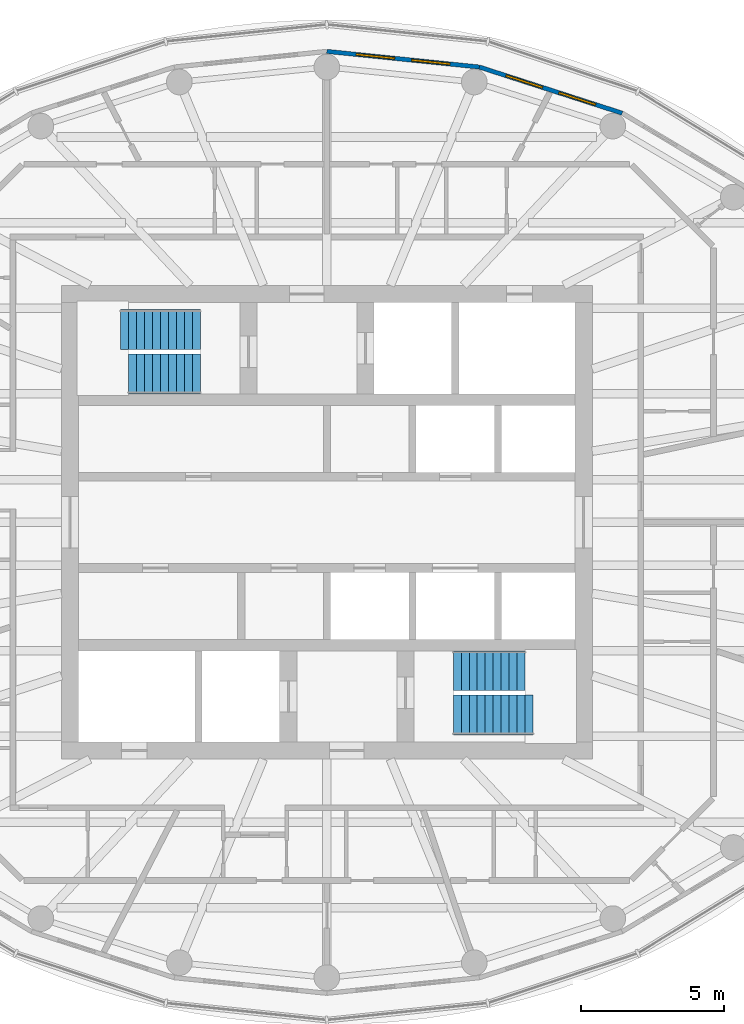
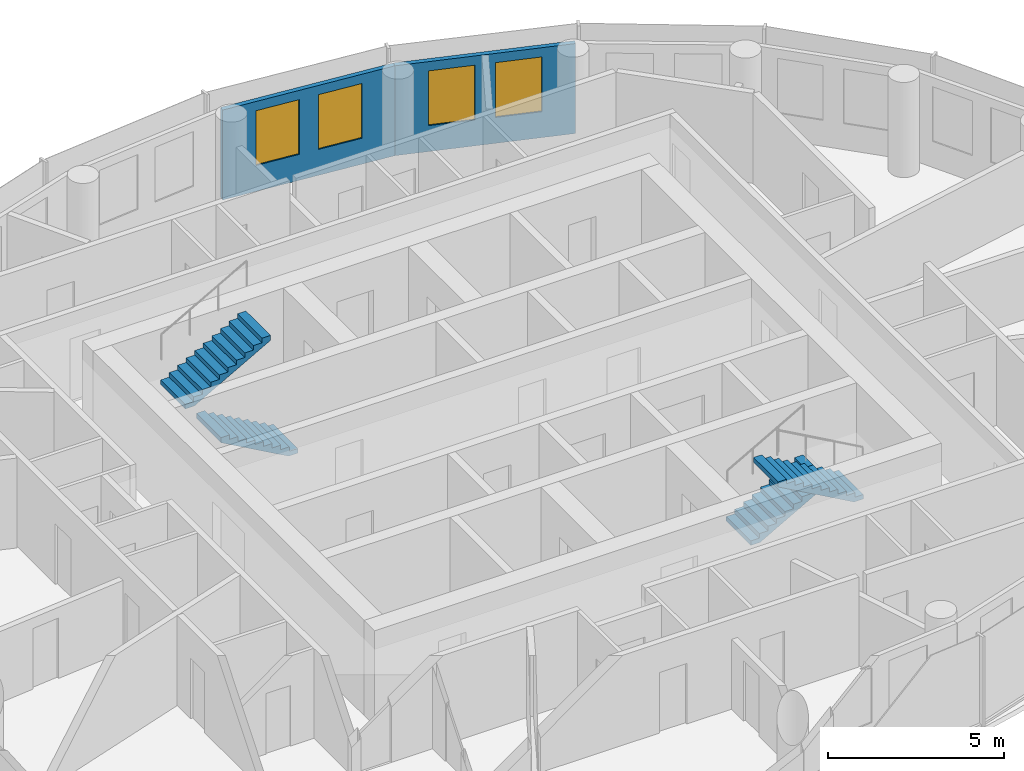
# One storey, part 10 of 11: 4 stair flights, 4 windows, 2 walls, 4 openings, 2 elements without a shape of their own.
"""IFC4 building model written with IfcOpenShell, lengths in metres."""

import ifcopenshell
import ifcopenshell.guid

model = None  # the IFC model being written
_history = None  # IfcOwnerHistory: only IFC2X3 demands one
_inside = {}  # id of a spatial element -> (the spatial element, [elements in it])
_under = {}  # id of a project, library or spatial element -> (it, [spatial elements below it])
_declared = {}  # id of a project -> (the project, [libraries it declares])
_typed = {}  # id of a type object -> (the type object, [elements of that type])
_made_of = {}  # id of a material, layer set ... -> (it, [elements and type objects made of it])


def new_model(schema):
    """Start an empty IFC model of exactly this schema.

    Asked for "IFC4X3", IfcOpenShell would pick the latest addendum, in which some entities
    have other attributes; the version numbers below select the first issue.
    IFC2X3 requires an IfcOwnerHistory on every rooted entity: one is made here for all.
    """
    global model, _history
    if schema == "IFC4X3":
        model = ifcopenshell.file(schema_version=(4, 3, 0, 0))
    else:
        model = ifcopenshell.file(schema=schema)
    _inside.clear()
    _under.clear()
    _declared.clear()
    _typed.clear()
    _made_of.clear()
    _history = None
    if model.schema == "IFC2X3":
        org = make("IfcOrganization", Name="unknown")
        user = make(
            "IfcPersonAndOrganization",
            ThePerson=make("IfcPerson", FamilyName="unknown"),
            TheOrganization=org,
        )
        app = make(
            "IfcApplication",
            ApplicationDeveloper=org,
            Version="unknown",
            ApplicationFullName="unknown",
            ApplicationIdentifier="unknown",
        )
        _history = make(
            "IfcOwnerHistory",
            OwningUser=user,
            OwningApplication=app,
            ChangeAction="ADDED",
            CreationDate=0,
        )
    return model


def make(cls, **values):
    """One entity of the class cls with the attributes given. An attribute that is None is left unset."""
    return model.create_entity(
        cls, **{name: value for name, value in values.items() if value is not None}
    )


def rooted(cls, **values):
    """An entity with a GlobalId (a new one), such as an element, a storey or a relation."""
    return make(cls, GlobalId=ifcopenshell.guid.new(), OwnerHistory=_history, **values)


def si_unit(unit_type, name, prefix=None):
    """IfcSIUnit, for example si_unit("LENGTHUNIT", "METRE", prefix="MILLI")."""
    return make("IfcSIUnit", UnitType=unit_type, Prefix=prefix, Name=name)


def assignment(units):
    """IfcUnitAssignment: the units of a project."""
    return None if units is None else make("IfcUnitAssignment", Units=units)


def point(xyz):
    """IfcCartesianPoint."""
    return None if xyz is None else make("IfcCartesianPoint", Coordinates=xyz)


def direction(xyz):
    """IfcDirection."""
    return None if xyz is None else make("IfcDirection", DirectionRatios=xyz)


def frame(location, z_axis=None, x_axis=None):
    """IfcAxis2Placement3D, a coordinate frame: its origin and axes. An axis left out is left unset."""
    return make(
        "IfcAxis2Placement3D",
        Location=point(location),
        Axis=direction(z_axis),
        RefDirection=direction(x_axis),
    )


def frame_2d(location, x_axis=None):
    """IfcAxis2Placement2D, a coordinate frame in the plane: its origin and x axis."""
    return make(
        "IfcAxis2Placement2D", Location=point(location), RefDirection=direction(x_axis)
    )


def origin():
    """The frame at (0, 0, 0) with its axes left unset."""
    return frame((0.0, 0.0, 0.0))


def place(relative_to, where):
    """IfcLocalPlacement: puts the frame where relative to a parent placement (None: the world)."""
    return make(
        "IfcLocalPlacement", PlacementRelTo=relative_to, RelativePlacement=where
    )


def context(
    kind, dimensions, precision=None, world=None, true_north=None, identifier=None
):
    """IfcGeometricRepresentationContext, for example the 3D "Model" context."""
    return make(
        "IfcGeometricRepresentationContext",
        ContextIdentifier=identifier,
        ContextType=kind,
        CoordinateSpaceDimension=dimensions,
        Precision=precision,
        WorldCoordinateSystem=world,
        TrueNorth=true_north,
    )


def subcontext(parent, identifier, kind, view, scale=None):
    """IfcGeometricRepresentationSubContext, for example "Body" below "Model"."""
    return make(
        "IfcGeometricRepresentationSubContext",
        ContextIdentifier=identifier,
        ContextType=kind,
        ParentContext=parent,
        TargetScale=scale,
        TargetView=view,
    )


def project(units=None, contexts=None):
    """IfcProject with its units and contexts."""
    return rooted(
        "IfcProject",
        Name="project",
        RepresentationContexts=contexts,
        UnitsInContext=assignment(units),
    )


def spatial(cls, under=None, at=None, **own):
    """A site, building, storey or space (cls), placed at a placement, below another one or the project."""
    s = rooted(cls, ObjectPlacement=at, **own)
    if under is not None:
        _under.setdefault(under.id(), (under, []))[1].append(s)
    return s


def polyline(points):
    """IfcPolyline through the points."""
    return make("IfcPolyline", Points=[point(p) for p in points])


def profile(cls, at=None, kind="AREA", **sizes):
    """A parametric profile (cls). Its sizes go by their IFC names, for example OverallWidth=200.0."""
    return make(cls, ProfileType=kind, Position=at, **sizes)


def rectangle(**sizes):
    """IfcRectangleProfileDef."""
    return profile("IfcRectangleProfileDef", **sizes)


def outline(outer, holes=None, kind="AREA"):
    """IfcArbitraryClosedProfileDef: a profile drawn as a closed curve; with holes, ...WithVoids."""
    if holes is None:
        return make("IfcArbitraryClosedProfileDef", ProfileType=kind, OuterCurve=outer)
    return make(
        "IfcArbitraryProfileDefWithVoids",
        ProfileType=kind,
        OuterCurve=outer,
        InnerCurves=holes,
    )


def extrude(swept, where, along, depth):
    """IfcExtrudedAreaSolid: the profile swept, set in the frame where, extruded along a direction by depth."""
    return make(
        "IfcExtrudedAreaSolid",
        SweptArea=swept,
        Position=where,
        ExtrudedDirection=direction(along),
        Depth=depth,
    )


def shape(context_of_items, identifier, shape_type, items):
    """IfcShapeRepresentation: the items that make up one representation, for example the "Body"."""
    return make(
        "IfcShapeRepresentation",
        ContextOfItems=context_of_items,
        RepresentationIdentifier=identifier,
        RepresentationType=shape_type,
        Items=items,
    )


def material(Name=None, Category=None):
    """IfcMaterial."""
    return make("IfcMaterial", Name=Name, Category=Category)


def layer(
    of_material, thickness, ventilated=None, Name=None, Category=None, Priority=None
):
    """IfcMaterialLayer: one layer of a wall or slab, of a material (None: an air gap)."""
    return make(
        "IfcMaterialLayer",
        Material=of_material,
        LayerThickness=thickness,
        IsVentilated=ventilated,
        Name=Name,
        Category=Category,
        Priority=Priority,
    )


def layer_set(layers, Name=None):
    """IfcMaterialLayerSet."""
    return make("IfcMaterialLayerSet", MaterialLayers=layers, LayerSetName=Name)


def made_of(thing, what):
    """Note that an element or type object is made of a material, layer set ...; save() writes the relation."""
    if what is not None:
        _made_of.setdefault(what.id(), (what, []))[1].append(thing)
    return thing


def type_object(cls, material=None, **own):
    """A type object (cls), such as IfcWallType, which elements share."""
    return made_of(rooted(cls, **own), material)


def element(
    cls,
    number,
    at=None,
    inside=None,
    cuts=None,
    type_object=None,
    material=None,
    context=None,
    identifier="Body",
    shape_type=None,
    held_by="IfcProductDefinitionShape",
    body=None,
    shapes=None,
    **own,
):
    """One element of the class cls, such as IfcWall. Its Tag is "e" and its number.

    at: its placement. inside: the storey or other place that contains it. cuts: it is an
    opening in that element (IfcRelVoidsElement). A single representation is given by context,
    identifier, shape_type and body (its items); several are given by shapes. held_by: the class
    of the entity that holds the representations. save() writes the other relations.
    """
    e = rooted(cls, Tag="e%d" % number, ObjectPlacement=at, **own)
    if body is not None:
        shapes = [shape(context, identifier, shape_type, body)]
    if shapes is not None:
        e.Representation = make(held_by, Representations=shapes)
    if inside is not None:
        _inside.setdefault(inside.id(), (inside, []))[1].append(e)
    if cuts is not None:
        rooted(
            "IfcRelVoidsElement", RelatingBuildingElement=cuts, RelatedOpeningElement=e
        )
    if type_object is not None:
        _typed.setdefault(type_object.id(), (type_object, []))[1].append(e)
    return made_of(e, material)


def fill(opening, filler):
    """IfcRelFillsElement: the door or window that sits in an opening."""
    return rooted(
        "IfcRelFillsElement",
        RelatingOpeningElement=opening,
        RelatedBuildingElement=filler,
    )


def aggregate(whole, parts):
    """IfcRelAggregates: a whole, such as a stair, and the parts it consists of."""
    return rooted("IfcRelAggregates", RelatingObject=whole, RelatedObjects=parts)


def save(model, path):
    """Write the relations noted so far, then the file.

    IfcRelAggregates (storeys below a building ...), IfcRelContainedInSpatialStructure (elements
    in a storey), IfcRelDefinesByType, IfcRelAssociatesMaterial and IfcRelDeclares: one each for
    every whole, place, type object, material and project.
    """
    for whole, parts in _under.values():
        aggregate(whole, parts)
    for where, things in _inside.values():
        rooted(
            "IfcRelContainedInSpatialStructure",
            RelatedElements=things,
            RelatingStructure=where,
        )
    for kind, things in _typed.values():
        rooted("IfcRelDefinesByType", RelatedObjects=things, RelatingType=kind)
    for what, things in _made_of.values():
        rooted("IfcRelAssociatesMaterial", RelatedObjects=things, RelatingMaterial=what)
    for by, libraries in _declared.values():
        rooted("IfcRelDeclares", RelatingContext=by, RelatedDefinitions=libraries)
    model.write(path)


model = new_model("IFC4")

# Units and contexts
model_context = context("Model", 3, precision=1e-05, world=origin(), true_north=direction((0.0, 1.0)))
body_context = subcontext(model_context, "Body", "Model", "MODEL_VIEW")
ifc_project = project(units=[si_unit("LENGTHUNIT", "METRE"), si_unit("AREAUNIT", "SQUARE_METRE"), si_unit("VOLUMEUNIT", "CUBIC_METRE"), si_unit("PLANEANGLEUNIT", "RADIAN"), si_unit("MASSUNIT", "GRAM", prefix="KILO")], contexts=[model_context])

# Site, building, storey
site_placement = place(None, origin())
site = spatial("IfcSite", under=ifc_project, at=site_placement, CompositionType="ELEMENT")
building_placement = place(site_placement, origin())
building = spatial("IfcBuilding", under=site, at=building_placement, Name="Hankou Lantern Tower", CompositionType="ELEMENT")
storey_placement = place(building_placement, frame((0.0, 0.0, 196.199951171875)))
storey = spatial("IfcBuildingStorey", under=building, at=storey_placement, Name="L52", CompositionType="ELEMENT", Elevation=196.199951171875)

# Wall, openings, windows
ifc_material_1 = material(Name="Aluminium spandrel panel on steel studs", Category="steel")
ifc_layer = layer(ifc_material_1, 0.14990234375)
ifc_layer_set = layer_set([ifc_layer], Name="Aluminium spandrel panel on steel studs")
wall_type = type_object("IfcWallType", Name="EW1 INNER SKIN WALL 150", PredefinedType="ELEMENTEDWALL", material=ifc_layer_set)
wall_1_placement = place(storey_placement, frame((10.346435546875, 14.33642578125, 0.0), z_axis=(0.0, 0.0, 1.0), x_axis=(-0.951644702515, 0.307200846638, 0.0)))
wall_1 = element("IfcWall", 1, at=wall_1_placement, inside=storey, type_object=wall_type, Name="Inner skin R05-R06 L52", PredefinedType="ELEMENTEDWALL", context=body_context, shape_type="SweptSolid", body=[
    extrude(rectangle(XDim=5.2578125, YDim=0.14990234375, at=frame_2d((2.62890625, 0.0))), origin(), (0.0, 0.0, 1.0), 3.1201171875),
])
opening_1_placement = place(wall_1_placement, frame((0.97900390625, 0.0, 0.89990234375)))
opening_1 = element("IfcOpeningElement", 2, at=opening_1_placement, cuts=wall_1, Name="Opening W4", PredefinedType="OPENING", context=body_context, shape_type="SweptSolid", body=[
    extrude(rectangle(XDim=1.35009765625, YDim=1.89990234375, at=frame_2d((0.675048828125, 0.949951171875))), frame((0.0, 0.0849609375, 0.0), z_axis=(0.0, -1.0, 0.0), x_axis=(1.0, 0.0, 0.0)), (0.0, 0.0, 1.0), 0.169921875),
])
opening_2_placement = place(wall_1_placement, frame((2.928955078125, 0.0, 0.89990234375)))
opening_2 = element("IfcOpeningElement", 3, at=opening_2_placement, cuts=wall_1, Name="Opening W4", PredefinedType="OPENING", context=body_context, shape_type="SweptSolid", body=[
    extrude(rectangle(XDim=1.35009765625, YDim=1.89990234375, at=frame_2d((0.675048828125, 0.949951171875))), frame((0.0, 0.0849609375, 0.0), z_axis=(0.0, -1.0, 0.0), x_axis=(1.0, 0.0, 0.0)), (0.0, 0.0, 1.0), 0.169921875),
])
ifc_material_2 = material(Name="Aluminium framed double glazed window", Category="aluminium")
window_type = type_object("IfcWindowType", Name="W4 SUITE WINDOW 1350X1900", PartitioningType="DOUBLE_PANEL_VERTICAL", PredefinedType="WINDOW", material=ifc_material_2)
window_1_placement = place(opening_1_placement, origin())
window_1 = element("IfcWindow", 4, at=window_1_placement, inside=storey, type_object=window_type, Name="Window R05.1 L52", OverallHeight=1.89990234375, OverallWidth=1.35009765625, PartitioningType="SINGLE_PANEL", PredefinedType="WINDOW", context=body_context, shape_type="SweptSolid", body=[
    extrude(rectangle(XDim=1.35009765625, YDim=1.89990234375, at=frame_2d((0.675048828125, 0.949951171875))), frame((0.0, 0.030029296875, 0.0), z_axis=(0.0, -1.0, 0.0), x_axis=(1.0, 0.0, 0.0)), (0.0, 0.0, 1.0), 0.06005859375),
])
fill(opening_1, window_1)
window_2_placement = place(opening_2_placement, origin())
window_2 = element("IfcWindow", 5, at=window_2_placement, inside=storey, type_object=window_type, Name="Window R05.2 L52", OverallHeight=1.89990234375, OverallWidth=1.35009765625, PartitioningType="SINGLE_PANEL", PredefinedType="WINDOW", context=body_context, shape_type="SweptSolid", body=[
    extrude(rectangle(XDim=1.35009765625, YDim=1.89990234375, at=frame_2d((0.675048828125, 0.949951171875))), frame((0.0, 0.030029296875, 0.0), z_axis=(0.0, -1.0, 0.0), x_axis=(1.0, 0.0, 0.0)), (0.0, 0.0, 1.0), 0.06005859375),
])
fill(opening_2, window_2)

wall_2_placement = place(storey_placement, frame((5.3427734375, 15.95166015625, 0.0), z_axis=(0.0, 0.0, 1.0), x_axis=(-0.994774574972, 0.102095763818, 0.0)))
wall_2 = element("IfcWall", 6, at=wall_2_placement, inside=storey, type_object=wall_type, Name="Inner skin R06-R07 L52", PredefinedType="ELEMENTEDWALL", context=body_context, shape_type="SweptSolid", body=[
    extrude(rectangle(XDim=5.370849609375, YDim=0.14990234375, at=frame_2d((2.685546875, 0.0))), origin(), (0.0, 0.0, 1.0), 3.1201171875),
])
opening_3_placement = place(wall_2_placement, frame((1.035400390625, 0.0, 0.89990234375)))
opening_3 = element("IfcOpeningElement", 7, at=opening_3_placement, cuts=wall_2, Name="Opening W4", PredefinedType="OPENING", context=body_context, shape_type="SweptSolid", body=[
    extrude(rectangle(XDim=1.35009765625, YDim=1.89990234375, at=frame_2d((0.675048828125, 0.949951171875))), frame((0.0, 0.0849609375, 0.0), z_axis=(0.0, -1.0, 0.0), x_axis=(1.0, 0.0, 0.0)), (0.0, 0.0, 1.0), 0.169921875),
])
opening_4_placement = place(wall_2_placement, frame((2.9853515625, 0.0, 0.89990234375)))
opening_4 = element("IfcOpeningElement", 8, at=opening_4_placement, cuts=wall_2, Name="Opening W4", PredefinedType="OPENING", context=body_context, shape_type="SweptSolid", body=[
    extrude(rectangle(XDim=1.35009765625, YDim=1.89990234375, at=frame_2d((0.675048828125, 0.949951171875))), frame((0.0, 0.0849609375, 0.0), z_axis=(0.0, -1.0, 0.0), x_axis=(1.0, 0.0, 0.0)), (0.0, 0.0, 1.0), 0.169921875),
])
window_3_placement = place(opening_3_placement, origin())
window_3 = element("IfcWindow", 9, at=window_3_placement, inside=storey, type_object=window_type, Name="Window R06.1 L52", OverallHeight=1.89990234375, OverallWidth=1.35009765625, PartitioningType="SINGLE_PANEL", PredefinedType="WINDOW", context=body_context, shape_type="SweptSolid", body=[
    extrude(rectangle(XDim=1.35009765625, YDim=1.89990234375, at=frame_2d((0.675048828125, 0.949951171875))), frame((0.0, 0.030029296875, 0.0), z_axis=(0.0, -1.0, 0.0), x_axis=(1.0, 0.0, 0.0)), (0.0, 0.0, 1.0), 0.06005859375),
])
fill(opening_3, window_3)
window_4_placement = place(opening_4_placement, origin())
window_4 = element("IfcWindow", 10, at=window_4_placement, inside=storey, type_object=window_type, Name="Window R06.2 L52", OverallHeight=1.89990234375, OverallWidth=1.35009765625, PartitioningType="SINGLE_PANEL", PredefinedType="WINDOW", context=body_context, shape_type="SweptSolid", body=[
    extrude(rectangle(XDim=1.35009765625, YDim=1.89990234375, at=frame_2d((0.675048828125, 0.949951171875))), frame((0.0, 0.030029296875, 0.0), z_axis=(0.0, -1.0, 0.0), x_axis=(1.0, 0.0, 0.0)), (0.0, 0.0, 1.0), 0.06005859375),
])
fill(opening_4, window_4)

# Stair, stair flight
ifc_material_3 = material(Name="Concrete C40", Category="concrete")
stair_type = type_object("IfcStairType", Name="ST33 CORE STAIR 3300 RISE", PredefinedType="HALF_TURN_STAIR", material=ifc_material_3)
stair_1_placement = place(storey_placement, origin())
stair_1 = element("IfcStair", 11, at=stair_1_placement, inside=storey, type_object=stair_type, Name="Stair STA L52", PredefinedType="HALF_TURN_STAIR")
ifc_material_4 = material(Name="Concrete C40", Category="concrete")
stair_flight_type_1 = type_object("IfcStairFlightType", Name="CF10 CORE STAIR FLIGHT 1400 X 10 RISERS", PredefinedType="STRAIGHT", material=ifc_material_4)
stair_flight_1_placement = place(storey_placement, frame((-4.429931640625, 5.199951171875, 0.0), z_axis=(0.0, 0.0, 1.0), x_axis=(-1.0, 0.0, 0.0)))
stair_flight_1 = element("IfcStairFlight", 12, at=stair_flight_1_placement, type_object=stair_flight_type_1, Name="STA flight 1", NumberOfRisers=10, NumberOfTreads=9, PredefinedType="STRAIGHT", RiserHeight=0.157142857, TreadLength=0.28, context=body_context, shape_type="SweptSolid", body=[
    extrude(outline(polyline([(0.0, 0.0), (0.0, 0.1572265625), (0.280029296875, 0.1572265625), (0.280029296875, 0.314208984375), (0.56005859375, 0.314208984375), (0.56005859375, 0.471435546875), (0.840087890625, 0.471435546875), (0.840087890625, 0.628662109375), (1.1201171875, 0.628662109375), (1.1201171875, 0.78564453125), (1.39990234375, 0.78564453125), (1.39990234375, 0.94287109375), (1.679931640625, 0.94287109375), (1.679931640625, 1.10009765625), (1.9599609375, 1.10009765625), (1.9599609375, 1.257080078125), (2.239990234375, 1.257080078125), (2.239990234375, 1.414306640625), (2.52001953125, 1.414306640625), (2.52001953125, 1.571533203125), (2.52001953125, 1.242431640625), (0.306396484375, 0.0), (0.0, 0.0)])), frame((0.0, 0.699951171875, 0.0), z_axis=(0.0, -1.0, 0.0), x_axis=(1.0, 0.0, 0.0)), (0.0, 0.0, 1.0), 1.39990234375),
])

stair_2_placement = place(storey_placement, origin())
stair_2 = element("IfcStair", 13, at=stair_2_placement, inside=storey, type_object=stair_type, Name="Stair STB L52", PredefinedType="HALF_TURN_STAIR")
stair_flight_2_placement = place(storey_placement, frame((4.429931640625, -5.199951171875, 0.0), z_axis=(0.0, 0.0, 1.0), x_axis=(1.0, 0.0, 0.0)))
stair_flight_2 = element("IfcStairFlight", 14, at=stair_flight_2_placement, type_object=stair_flight_type_1, Name="STB flight 1", NumberOfRisers=10, NumberOfTreads=9, PredefinedType="STRAIGHT", RiserHeight=0.157142857, TreadLength=0.28, context=body_context, shape_type="SweptSolid", body=[
    extrude(outline(polyline([(0.0, 0.0), (0.0, 0.1572265625), (0.280029296875, 0.1572265625), (0.280029296875, 0.314208984375), (0.56005859375, 0.314208984375), (0.56005859375, 0.471435546875), (0.840087890625, 0.471435546875), (0.840087890625, 0.628662109375), (1.1201171875, 0.628662109375), (1.1201171875, 0.78564453125), (1.39990234375, 0.78564453125), (1.39990234375, 0.94287109375), (1.679931640625, 0.94287109375), (1.679931640625, 1.10009765625), (1.9599609375, 1.10009765625), (1.9599609375, 1.257080078125), (2.239990234375, 1.257080078125), (2.239990234375, 1.414306640625), (2.52001953125, 1.414306640625), (2.52001953125, 1.571533203125), (2.52001953125, 1.242431640625), (0.306396484375, 0.0), (0.0, 0.0)])), frame((0.0, 0.699951171875, 0.0), z_axis=(0.0, -1.0, 0.0), x_axis=(1.0, 0.0, 0.0)), (0.0, 0.0, 1.0), 1.39990234375),
])

# Stair flight
ifc_material_5 = material(Name="Concrete C40", Category="concrete")
stair_flight_type_2 = type_object("IfcStairFlightType", Name="CF11 CORE STAIR FLIGHT 1400 X 11 RISERS", PredefinedType="STRAIGHT", material=ifc_material_5)
stair_flight_3_placement = place(storey_placement, frame((-7.22998046875, 6.75, 1.571533203125), z_axis=(0.0, 0.0, 1.0), x_axis=(1.0, 0.0, 0.0)))
stair_flight_3 = element("IfcStairFlight", 15, at=stair_flight_3_placement, type_object=stair_flight_type_2, Name="STA flight 2", NumberOfRisers=11, NumberOfTreads=10, PredefinedType="STRAIGHT", RiserHeight=0.157142857, TreadLength=0.28, context=body_context, shape_type="SweptSolid", body=[
    extrude(outline(polyline([(0.0, 0.0), (0.0, 0.1572265625), (0.280029296875, 0.1572265625), (0.280029296875, 0.314208984375), (0.56005859375, 0.314208984375), (0.56005859375, 0.471435546875), (0.840087890625, 0.471435546875), (0.840087890625, 0.628662109375), (1.1201171875, 0.628662109375), (1.1201171875, 0.78564453125), (1.39990234375, 0.78564453125), (1.39990234375, 0.94287109375), (1.679931640625, 0.94287109375), (1.679931640625, 1.10009765625), (1.9599609375, 1.10009765625), (1.9599609375, 1.257080078125), (2.239990234375, 1.257080078125), (2.239990234375, 1.414306640625), (2.52001953125, 1.414306640625), (2.52001953125, 1.571533203125), (2.800048828125, 1.571533203125), (2.800048828125, 1.728515625), (2.800048828125, 1.3994140625), (0.306396484375, 0.0), (0.0, 0.0)])), frame((0.0, 0.699951171875, 0.0), z_axis=(0.0, -1.0, 0.0), x_axis=(1.0, 0.0, 0.0)), (0.0, 0.0, 1.0), 1.39990234375),
])

aggregate(stair_1, [stair_flight_1, stair_flight_3])

stair_flight_4_placement = place(storey_placement, frame((7.22998046875, -6.75, 1.571533203125), z_axis=(0.0, 0.0, 1.0), x_axis=(-1.0, 0.0, 0.0)))
stair_flight_4 = element("IfcStairFlight", 16, at=stair_flight_4_placement, type_object=stair_flight_type_2, Name="STB flight 2", NumberOfRisers=11, NumberOfTreads=10, PredefinedType="STRAIGHT", RiserHeight=0.157142857, TreadLength=0.28, context=body_context, shape_type="SweptSolid", body=[
    extrude(outline(polyline([(0.0, 0.0), (0.0, 0.1572265625), (0.280029296875, 0.1572265625), (0.280029296875, 0.314208984375), (0.56005859375, 0.314208984375), (0.56005859375, 0.471435546875), (0.840087890625, 0.471435546875), (0.840087890625, 0.628662109375), (1.1201171875, 0.628662109375), (1.1201171875, 0.78564453125), (1.39990234375, 0.78564453125), (1.39990234375, 0.94287109375), (1.679931640625, 0.94287109375), (1.679931640625, 1.10009765625), (1.9599609375, 1.10009765625), (1.9599609375, 1.257080078125), (2.239990234375, 1.257080078125), (2.239990234375, 1.414306640625), (2.52001953125, 1.414306640625), (2.52001953125, 1.571533203125), (2.800048828125, 1.571533203125), (2.800048828125, 1.728515625), (2.800048828125, 1.3994140625), (0.306396484375, 0.0), (0.0, 0.0)])), frame((0.0, 0.699951171875, 0.0), z_axis=(0.0, -1.0, 0.0), x_axis=(1.0, 0.0, 0.0)), (0.0, 0.0, 1.0), 1.39990234375),
])

aggregate(stair_2, [stair_flight_2, stair_flight_4])

save(model, "model.ifc")
